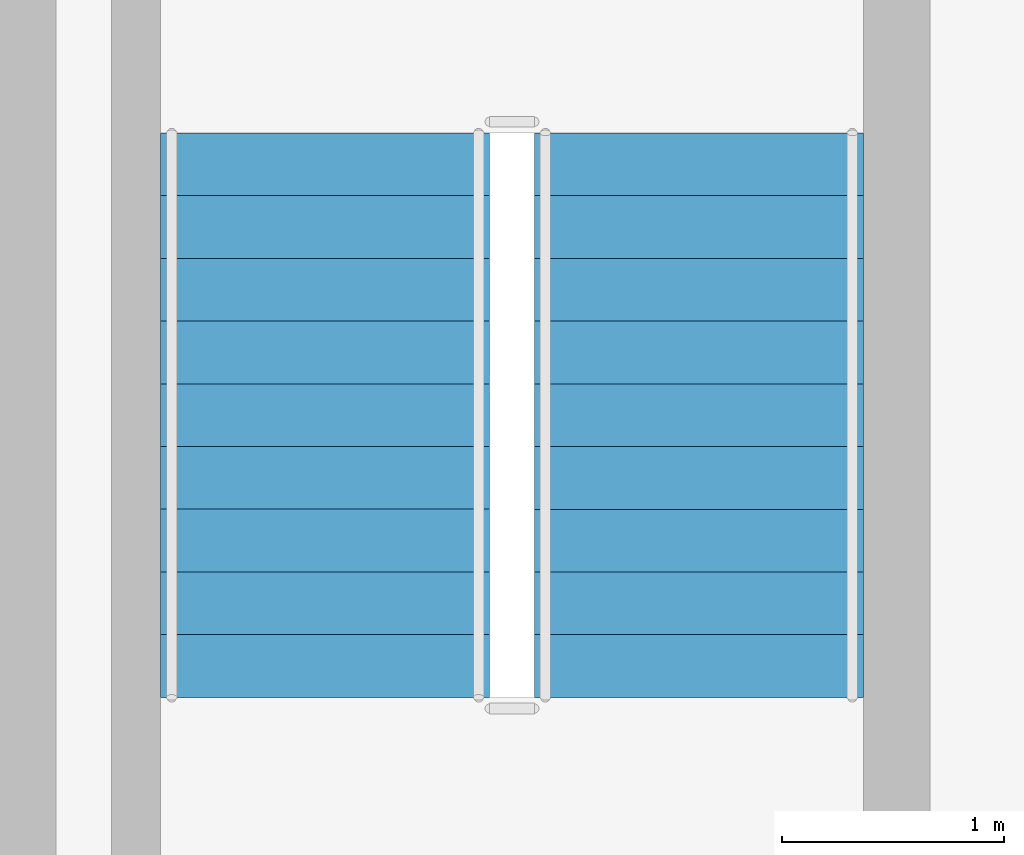
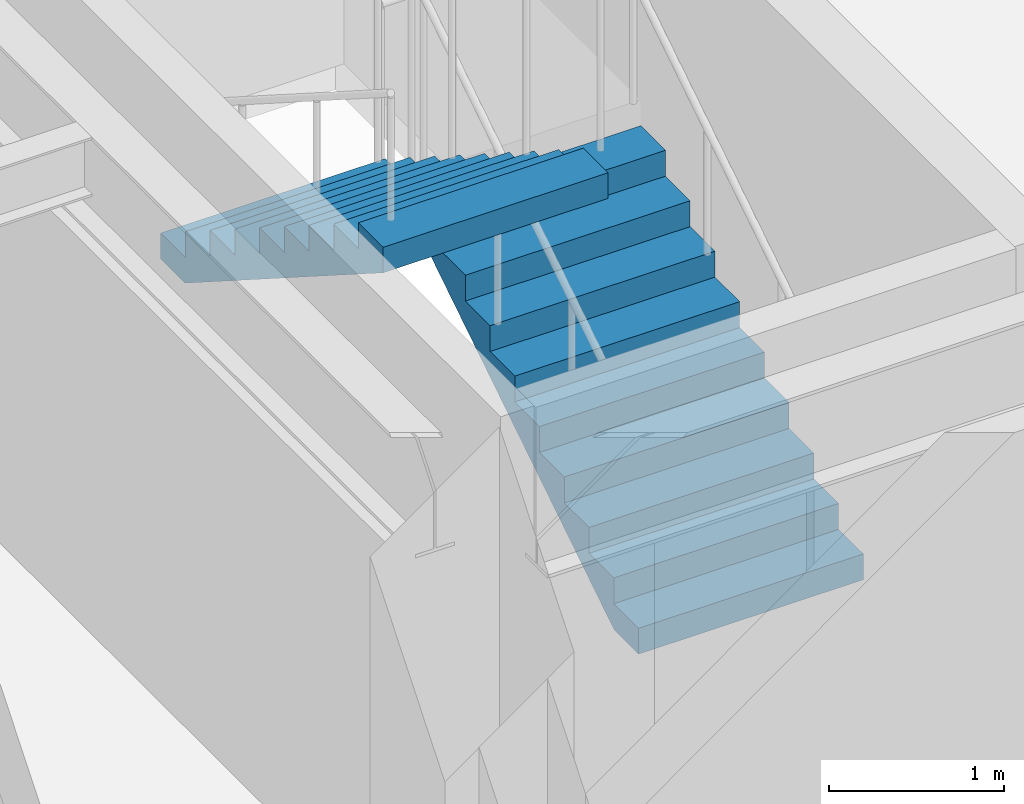
# One storey, part 11 of 12: 2 stair flights, 1 element without a shape of its own.
"""IFC4 building model written with IfcOpenShell, lengths in metres."""

from ifc_helpers import new_model, si_unit, direction, frame, origin, place, context, subcontext, project, spatial, polyline, outline, extrude, material, type_object, element, aggregate, save


model = new_model("IFC4")

# Units and contexts
model_context = context("Model", 3, precision=1e-05, world=origin(), true_north=direction((0.0, 1.0)))
body_context = subcontext(model_context, "Body", "Model", "MODEL_VIEW")
ifc_project = project(units=[si_unit("LENGTHUNIT", "METRE"), si_unit("AREAUNIT", "SQUARE_METRE"), si_unit("VOLUMEUNIT", "CUBIC_METRE"), si_unit("PLANEANGLEUNIT", "RADIAN"), si_unit("MASSUNIT", "GRAM", prefix="KILO")], contexts=[model_context])

# Site, building, storey
site_placement = place(None, origin())
site = spatial("IfcSite", under=ifc_project, at=site_placement, CompositionType="ELEMENT")
building_placement = place(site_placement, origin())
building = spatial("IfcBuilding", under=site, at=building_placement, Name="Ochreholt Gables", CompositionType="ELEMENT")
storey_placement = place(building_placement, frame((0.0, 0.0, 45.60009765625)))
storey = spatial("IfcBuildingStorey", under=building, at=storey_placement, Name="L11", CompositionType="ELEMENT", Elevation=45.60009765625)

# Stair, stair flights
ifc_material = material(Name="Concrete 40 MPa", Category="concrete")
stair_type = type_object("IfcStairType", Name="STAIR-CORE-ST-2", PredefinedType="HALF_TURN_STAIR", material=ifc_material)
stair_placement = place(storey_placement, origin())
stair = element("IfcStair", 1, at=stair_placement, inside=storey, type_object=stair_type, Name="L11 Core Exit Stair 2", PredefinedType="HALF_TURN_STAIR")
stair_flight_type = type_object("IfcStairFlightType", Name="FLIGHT-ST-1480-1800", PredefinedType="STRAIGHT", material=ifc_material)
stair_flight_1_placement = place(storey_placement, frame((27.340087890625, 32.4599609375, 0.0), z_axis=(0.0, 0.0, 1.0), x_axis=(0.0, 1.0, 0.0)))
stair_flight_1 = element("IfcStairFlight", 2, at=stair_flight_1_placement, type_object=stair_flight_type, Name="ST-2 flight 1", NumberOfRisers=10, NumberOfTreads=9, PredefinedType="STRAIGHT", RiserHeight=0.18, TreadLength=0.282, context=body_context, shape_type="SweptSolid", body=[
    extrude(outline(polyline([(0.0, 0.0), (0.0, 0.179931640625), (0.281982421875, 0.179931640625), (0.281982421875, 0.360107421875), (0.56396484375, 0.360107421875), (0.56396484375, 0.5400390625), (0.845947265625, 0.5400390625), (0.845947265625, 0.719970703125), (1.1279296875, 0.719970703125), (1.1279296875, 0.89990234375), (1.409912109375, 0.89990234375), (1.409912109375, 1.080078125), (1.69189453125, 1.080078125), (1.69189453125, 1.260009765625), (1.97412109375, 1.260009765625), (1.97412109375, 1.43994140625), (2.256103515625, 1.43994140625), (2.256103515625, 1.6201171875), (2.5380859375, 1.6201171875), (2.5380859375, 1.800048828125), (2.5380859375, 1.442138671875), (0.278564453125, 0.0), (0.0, 0.0)])), frame((0.0, 0.739990234375, 0.0), z_axis=(0.0, -1.0, 0.0), x_axis=(1.0, 0.0, 0.0)), (0.0, 0.0, 1.0), 1.47998046875),
])
stair_flight_2_placement = place(storey_placement, frame((25.659912109375, 34.998046875, 1.7998046875), z_axis=(0.0, 0.0, 1.0), x_axis=(0.0, -1.0, 0.0)))
stair_flight_2 = element("IfcStairFlight", 3, at=stair_flight_2_placement, type_object=stair_flight_type, Name="ST-2 flight 2", NumberOfRisers=10, NumberOfTreads=9, PredefinedType="STRAIGHT", RiserHeight=0.18, TreadLength=0.282, context=body_context, shape_type="SweptSolid", body=[
    extrude(outline(polyline([(0.0, 0.0), (0.0, 0.179931640625), (0.281982421875, 0.179931640625), (0.281982421875, 0.360107421875), (0.56396484375, 0.360107421875), (0.56396484375, 0.5400390625), (0.845947265625, 0.5400390625), (0.845947265625, 0.719970703125), (1.1279296875, 0.719970703125), (1.1279296875, 0.89990234375), (1.409912109375, 0.89990234375), (1.409912109375, 1.080078125), (1.69189453125, 1.080078125), (1.69189453125, 1.260009765625), (1.97412109375, 1.260009765625), (1.97412109375, 1.43994140625), (2.256103515625, 1.43994140625), (2.256103515625, 1.6201171875), (2.5380859375, 1.6201171875), (2.5380859375, 1.800048828125), (2.5380859375, 1.442138671875), (0.278564453125, 0.0), (0.0, 0.0)])), frame((0.0, 0.739990234375, 0.0), z_axis=(0.0, -1.0, 0.0), x_axis=(1.0, 0.0, 0.0)), (0.0, 0.0, 1.0), 1.47998046875),
])
aggregate(stair, [stair_flight_1, stair_flight_2])

save(model, "model.ifc")
